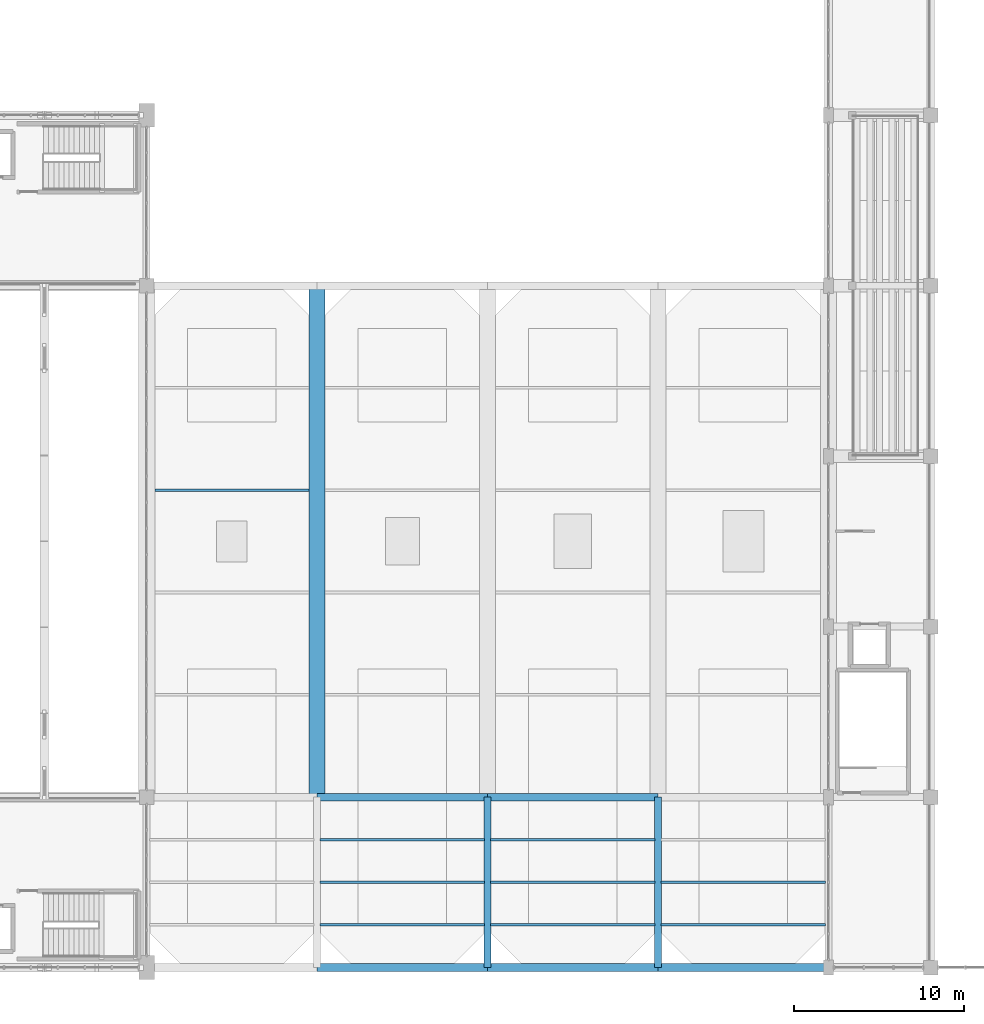
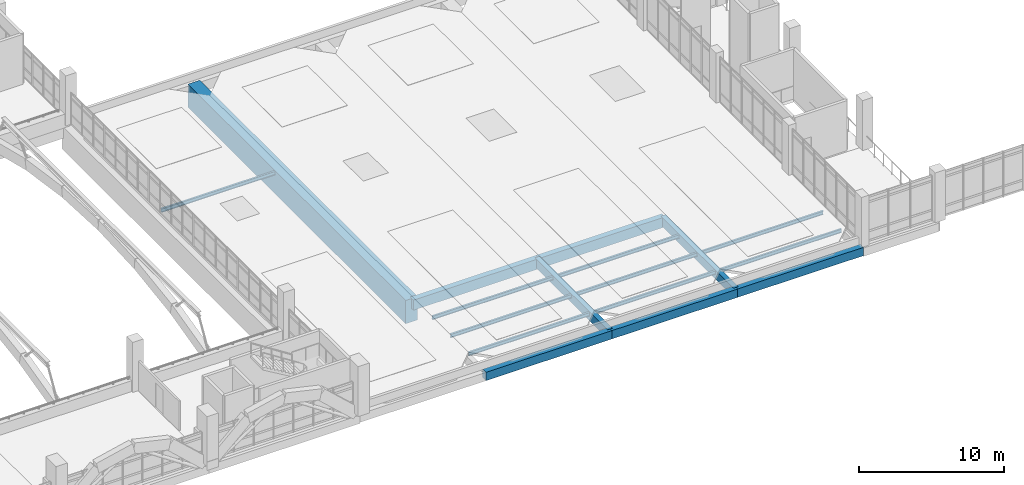
# One storey, part 46 of 161: 9 beams, 8 members.
"""IFC4 building model written with IfcOpenShell, lengths in metres."""

import ifcopenshell
import ifcopenshell.guid

model = None  # the IFC model being written
_history = None  # IfcOwnerHistory: only IFC2X3 demands one
_inside = {}  # id of a spatial element -> (the spatial element, [elements in it])
_under = {}  # id of a project, library or spatial element -> (it, [spatial elements below it])
_declared = {}  # id of a project -> (the project, [libraries it declares])
_typed = {}  # id of a type object -> (the type object, [elements of that type])
_made_of = {}  # id of a material, layer set ... -> (it, [elements and type objects made of it])


def new_model(schema):
    """Start an empty IFC model of exactly this schema.

    Asked for "IFC4X3", IfcOpenShell would pick the latest addendum, in which some entities
    have other attributes; the version numbers below select the first issue.
    IFC2X3 requires an IfcOwnerHistory on every rooted entity: one is made here for all.
    """
    global model, _history
    if schema == "IFC4X3":
        model = ifcopenshell.file(schema_version=(4, 3, 0, 0))
    else:
        model = ifcopenshell.file(schema=schema)
    _inside.clear()
    _under.clear()
    _declared.clear()
    _typed.clear()
    _made_of.clear()
    _history = None
    if model.schema == "IFC2X3":
        org = make("IfcOrganization", Name="unknown")
        user = make(
            "IfcPersonAndOrganization",
            ThePerson=make("IfcPerson", FamilyName="unknown"),
            TheOrganization=org,
        )
        app = make(
            "IfcApplication",
            ApplicationDeveloper=org,
            Version="unknown",
            ApplicationFullName="unknown",
            ApplicationIdentifier="unknown",
        )
        _history = make(
            "IfcOwnerHistory",
            OwningUser=user,
            OwningApplication=app,
            ChangeAction="ADDED",
            CreationDate=0,
        )
    return model


def make(cls, **values):
    """One entity of the class cls with the attributes given. An attribute that is None is left unset."""
    return model.create_entity(
        cls, **{name: value for name, value in values.items() if value is not None}
    )


def rooted(cls, **values):
    """An entity with a GlobalId (a new one), such as an element, a storey or a relation."""
    return make(cls, GlobalId=ifcopenshell.guid.new(), OwnerHistory=_history, **values)


def si_unit(unit_type, name, prefix=None):
    """IfcSIUnit, for example si_unit("LENGTHUNIT", "METRE", prefix="MILLI")."""
    return make("IfcSIUnit", UnitType=unit_type, Prefix=prefix, Name=name)


def assignment(units):
    """IfcUnitAssignment: the units of a project."""
    return None if units is None else make("IfcUnitAssignment", Units=units)


def point(xyz):
    """IfcCartesianPoint."""
    return None if xyz is None else make("IfcCartesianPoint", Coordinates=xyz)


def direction(xyz):
    """IfcDirection."""
    return None if xyz is None else make("IfcDirection", DirectionRatios=xyz)


def frame(location, z_axis=None, x_axis=None):
    """IfcAxis2Placement3D, a coordinate frame: its origin and axes. An axis left out is left unset."""
    return make(
        "IfcAxis2Placement3D",
        Location=point(location),
        Axis=direction(z_axis),
        RefDirection=direction(x_axis),
    )


def frame_2d(location, x_axis=None):
    """IfcAxis2Placement2D, a coordinate frame in the plane: its origin and x axis."""
    return make(
        "IfcAxis2Placement2D", Location=point(location), RefDirection=direction(x_axis)
    )


def origin():
    """The frame at (0, 0, 0) with its axes left unset."""
    return frame((0.0, 0.0, 0.0))


def origin_2d():
    """The frame at (0, 0) in the plane with its x axis left unset."""
    return frame_2d((0.0, 0.0))


def place(relative_to, where):
    """IfcLocalPlacement: puts the frame where relative to a parent placement (None: the world)."""
    return make(
        "IfcLocalPlacement", PlacementRelTo=relative_to, RelativePlacement=where
    )


def context(
    kind, dimensions, precision=None, world=None, true_north=None, identifier=None
):
    """IfcGeometricRepresentationContext, for example the 3D "Model" context."""
    return make(
        "IfcGeometricRepresentationContext",
        ContextIdentifier=identifier,
        ContextType=kind,
        CoordinateSpaceDimension=dimensions,
        Precision=precision,
        WorldCoordinateSystem=world,
        TrueNorth=true_north,
    )


def subcontext(parent, identifier, kind, view, scale=None):
    """IfcGeometricRepresentationSubContext, for example "Body" below "Model"."""
    return make(
        "IfcGeometricRepresentationSubContext",
        ContextIdentifier=identifier,
        ContextType=kind,
        ParentContext=parent,
        TargetScale=scale,
        TargetView=view,
    )


def project(units=None, contexts=None):
    """IfcProject with its units and contexts."""
    return rooted(
        "IfcProject",
        Name="project",
        RepresentationContexts=contexts,
        UnitsInContext=assignment(units),
    )


def spatial(cls, under=None, at=None, **own):
    """A site, building, storey or space (cls), placed at a placement, below another one or the project."""
    s = rooted(cls, ObjectPlacement=at, **own)
    if under is not None:
        _under.setdefault(under.id(), (under, []))[1].append(s)
    return s


def profile(cls, at=None, kind="AREA", **sizes):
    """A parametric profile (cls). Its sizes go by their IFC names, for example OverallWidth=200.0."""
    return make(cls, ProfileType=kind, Position=at, **sizes)


def rectangle(**sizes):
    """IfcRectangleProfileDef."""
    return profile("IfcRectangleProfileDef", **sizes)


def i_section(**sizes):
    """IfcIShapeProfileDef."""
    return profile("IfcIShapeProfileDef", **sizes)


def extrude(swept, where, along, depth):
    """IfcExtrudedAreaSolid: the profile swept, set in the frame where, extruded along a direction by depth."""
    return make(
        "IfcExtrudedAreaSolid",
        SweptArea=swept,
        Position=where,
        ExtrudedDirection=direction(along),
        Depth=depth,
    )


def shape(context_of_items, identifier, shape_type, items):
    """IfcShapeRepresentation: the items that make up one representation, for example the "Body"."""
    return make(
        "IfcShapeRepresentation",
        ContextOfItems=context_of_items,
        RepresentationIdentifier=identifier,
        RepresentationType=shape_type,
        Items=items,
    )


def material(Name=None, Category=None):
    """IfcMaterial."""
    return make("IfcMaterial", Name=Name, Category=Category)


def material_profile(
    of_material, cross_section, Name=None, Category=None, Priority=None
):
    """IfcMaterialProfile: a cross section and its material."""
    return make(
        "IfcMaterialProfile",
        Name=Name,
        Material=of_material,
        Profile=cross_section,
        Priority=Priority,
        Category=Category,
    )


def profile_set(profiles, Name=None, composite=None):
    """IfcMaterialProfileSet."""
    return make(
        "IfcMaterialProfileSet",
        Name=Name,
        MaterialProfiles=profiles,
        CompositeProfile=composite,
    )


def made_of(thing, what):
    """Note that an element or type object is made of a material, layer set ...; save() writes the relation."""
    if what is not None:
        _made_of.setdefault(what.id(), (what, []))[1].append(thing)
    return thing


def type_object(cls, material=None, **own):
    """A type object (cls), such as IfcWallType, which elements share."""
    return made_of(rooted(cls, **own), material)


def element(
    cls,
    number,
    at=None,
    inside=None,
    cuts=None,
    type_object=None,
    material=None,
    context=None,
    identifier="Body",
    shape_type=None,
    held_by="IfcProductDefinitionShape",
    body=None,
    shapes=None,
    **own,
):
    """One element of the class cls, such as IfcWall. Its Tag is "e" and its number.

    at: its placement. inside: the storey or other place that contains it. cuts: it is an
    opening in that element (IfcRelVoidsElement). A single representation is given by context,
    identifier, shape_type and body (its items); several are given by shapes. held_by: the class
    of the entity that holds the representations. save() writes the other relations.
    """
    e = rooted(cls, Tag="e%d" % number, ObjectPlacement=at, **own)
    if body is not None:
        shapes = [shape(context, identifier, shape_type, body)]
    if shapes is not None:
        e.Representation = make(held_by, Representations=shapes)
    if inside is not None:
        _inside.setdefault(inside.id(), (inside, []))[1].append(e)
    if cuts is not None:
        rooted(
            "IfcRelVoidsElement", RelatingBuildingElement=cuts, RelatedOpeningElement=e
        )
    if type_object is not None:
        _typed.setdefault(type_object.id(), (type_object, []))[1].append(e)
    return made_of(e, material)


def aggregate(whole, parts):
    """IfcRelAggregates: a whole, such as a stair, and the parts it consists of."""
    return rooted("IfcRelAggregates", RelatingObject=whole, RelatedObjects=parts)


def save(model, path):
    """Write the relations noted so far, then the file.

    IfcRelAggregates (storeys below a building ...), IfcRelContainedInSpatialStructure (elements
    in a storey), IfcRelDefinesByType, IfcRelAssociatesMaterial and IfcRelDeclares: one each for
    every whole, place, type object, material and project.
    """
    for whole, parts in _under.values():
        aggregate(whole, parts)
    for where, things in _inside.values():
        rooted(
            "IfcRelContainedInSpatialStructure",
            RelatedElements=things,
            RelatingStructure=where,
        )
    for kind, things in _typed.values():
        rooted("IfcRelDefinesByType", RelatedObjects=things, RelatingType=kind)
    for what, things in _made_of.values():
        rooted("IfcRelAssociatesMaterial", RelatedObjects=things, RelatingMaterial=what)
    for by, libraries in _declared.values():
        rooted("IfcRelDeclares", RelatingContext=by, RelatedDefinitions=libraries)
    model.write(path)


model = new_model("IFC4")

# Units and contexts
model_context = context("Model", 3, precision=1e-05, world=origin(), true_north=direction((0.0, 1.0)))
body_context = subcontext(model_context, "Body", "Model", "MODEL_VIEW")
ifc_project = project(units=[si_unit("LENGTHUNIT", "METRE"), si_unit("AREAUNIT", "SQUARE_METRE"), si_unit("VOLUMEUNIT", "CUBIC_METRE"), si_unit("PLANEANGLEUNIT", "RADIAN"), si_unit("MASSUNIT", "GRAM", prefix="KILO")], contexts=[model_context])

# Site, building, storey
site_placement = place(None, origin())
site = spatial("IfcSite", under=ifc_project, at=site_placement, CompositionType="ELEMENT")
building_placement = place(site_placement, origin())
building = spatial("IfcBuilding", under=site, at=building_placement, Name="Mersad Railyard Sports Hall", CompositionType="ELEMENT")
storey_placement = place(building_placement, frame((0.0, 0.0, 4.800048828125)))
storey = spatial("IfcBuildingStorey", under=building, at=storey_placement, Name="L01", CompositionType="ELEMENT", Elevation=4.800048828125)

# Beams
ifc_material_1 = material(Name="Concrete C40/50", Category="concrete")
ifc_material_profile_1 = material_profile(ifc_material_1, rectangle(XDim=0.39990234375, YDim=0.75, at=origin_2d()), Name="RC 400x750")
ifc_profile_set_1 = profile_set([ifc_material_profile_1], Name="Concrete C40/50")
beam_type_1 = type_object("IfcBeamType", Name="STR-BM-B01", PredefinedType="BEAM", material=ifc_profile_set_1)
for number, where, z_axis, x_axis, name in (
    (1, (111.0, 3.5, -0.594970703125), (0.0, 1.0, 0.0), (-1.0, 0.0, 0.0), "Beam B01-0598"),
    (2, (121.0, 3.5, -0.594970703125), (0.0, 1.0, 0.0), (-1.0, 0.0, 0.0), "Beam B01-0599"),
):
    element("IfcBeam", number, at=place(storey_placement, frame(where, z_axis=z_axis, x_axis=x_axis)), inside=storey, type_object=beam_type_1, Name=name, PredefinedType="BEAM", context=body_context, shape_type="SweptSolid", body=[
        extrude(rectangle(XDim=0.39990234375, YDim=0.75, at=origin_2d()), origin(), (0.0, 0.0, 1.0), 10.0),
    ])
ifc_material_profile_2 = material_profile(ifc_material_1, rectangle(XDim=0.449951171875, YDim=0.85009765625, at=origin_2d()), Name="RC 450x850")
ifc_profile_set_2 = profile_set([ifc_material_profile_2], Name="Concrete C40/50")
beam_type_2 = type_object("IfcBeamType", Name="STR-BM-B02", PredefinedType="BEAM", material=ifc_profile_set_2)
for number, where, z_axis, x_axis, name in (
    (3, (101.0, 13.5, -0.64501953125), (1.0, 0.0, 0.0), (0.0, 1.0, 0.0), "Beam B02-0594"),
    (4, (111.0, 13.5, -0.64501953125), (1.0, 0.0, 0.0), (0.0, 1.0, 0.0), "Beam B02-0595"),
):
    element("IfcBeam", number, at=place(storey_placement, frame(where, z_axis=z_axis, x_axis=x_axis)), inside=storey, type_object=beam_type_2, Name=name, PredefinedType="BEAM", context=body_context, shape_type="SweptSolid", body=[
        extrude(rectangle(XDim=0.449951171875, YDim=0.85009765625, at=origin_2d()), origin(), (0.0, 0.0, 1.0), 10.0),
    ])
ifc_material_2 = material(Name="Steel S355", Category="steel")
ifc_material_profile_3 = material_profile(ifc_material_2, i_section(OverallWidth=0.14990234375, OverallDepth=0.300048828125, WebThickness=0.007080078125, FlangeThickness=0.0107421875, at=origin_2d()), Name="IPE 300")
ifc_profile_set_3 = profile_set([ifc_material_profile_3], Name="Steel S355")
beam_type_3 = type_object("IfcBeamType", Name="STR-BM-J02", PredefinedType="JOIST", material=ifc_profile_set_3)
beam_1_placement = place(storey_placement, frame((91.47509765625, 31.5, -0.380126953125), z_axis=(1.0, 0.0, 0.0), x_axis=(0.0, 1.0, 0.0)))
element("IfcBeam", 5, at=beam_1_placement, inside=storey, type_object=beam_type_3, Name="Beam J02-0607", PredefinedType="JOIST", context=body_context, shape_type="SweptSolid", body=[
    extrude(i_section(OverallWidth=0.14990234375, OverallDepth=0.300048828125, WebThickness=0.007080078125, FlangeThickness=0.0107421875, at=origin_2d()), origin(), (0.0, 0.0, 1.0), 9.0498046875),
])
ifc_material_3 = material(Name="Architectural concrete C40/50", Category="concrete")
ifc_material_profile_4 = material_profile(ifc_material_3, rectangle(XDim=0.449951171875, YDim=0.699951171875, at=origin_2d()), Name="RC 450x700")
ifc_profile_set_4 = profile_set([ifc_material_profile_4], Name="Architectural concrete C40/50")
beam_type_4 = type_object("IfcBeamType", Name="STR-BM-SP01", PredefinedType="SPANDREL", material=ifc_profile_set_4)
for number, where, z_axis, x_axis, name in (
    (6, (101.0, 3.5, -0.570068359375), (1.0, 0.0, 0.0), (0.0, 1.0, 0.0), "Beam SP01-0590"),
    (7, (111.0, 3.5, -0.570068359375), (1.0, 0.0, 0.0), (0.0, 1.0, 0.0), "Beam SP01-0591"),
    (8, (121.0, 3.5, -0.570068359375), (1.0, 0.0, 0.0), (0.0, 1.0, 0.0), "Beam SP01-0592"),
):
    element("IfcBeam", number, at=place(storey_placement, frame(where, z_axis=z_axis, x_axis=x_axis)), inside=storey, type_object=beam_type_4, Name=name, PredefinedType="SPANDREL", context=body_context, shape_type="SweptSolid", body=[
        extrude(rectangle(XDim=0.449951171875, YDim=0.699951171875, at=origin_2d()), origin(), (0.0, 0.0, 1.0), 10.0),
    ])
ifc_material_4 = material(Name="Post-tensioned concrete C50/60", Category="concrete")
ifc_material_profile_5 = material_profile(ifc_material_4, rectangle(XDim=0.949951171875, YDim=1.949951171875, at=origin_2d()), Name="PT 950x1950")
ifc_profile_set_5 = profile_set([ifc_material_profile_5], Name="Post-tensioned concrete C50/60")
beam_type_5 = type_object("IfcBeamType", Name="STR-BM-TG03", PredefinedType="USERDEFINED", material=ifc_profile_set_5)
beam_2_placement = place(storey_placement, frame((101.0, 13.5, -1.195068359375), z_axis=(0.0, 1.0, 0.0), x_axis=(-1.0, 0.0, 0.0)))
element("IfcBeam", 9, at=beam_2_placement, inside=storey, type_object=beam_type_5, Name="Transfer girder TG03-0585", ObjectType="GIRDER", PredefinedType="USERDEFINED", context=body_context, shape_type="SweptSolid", body=[
    extrude(rectangle(XDim=0.949951171875, YDim=1.949951171875, at=origin_2d()), origin(), (0.0, 0.0, 1.0), 30.0),
])

# Members
ifc_material_profile_6 = material_profile(ifc_material_2, i_section(OverallWidth=0.14990234375, OverallDepth=0.300048828125, WebThickness=0.007080078125, FlangeThickness=0.0107421875, at=origin_2d()), Name="IPE 300")
ifc_profile_set_6 = profile_set([ifc_material_profile_6], Name="Steel S355")
member_type = type_object("IfcMemberType", Name="STR-MEM-PU02", PredefinedType="PURLIN", material=ifc_profile_set_6)
for number, where, z_axis, x_axis, name in (
    (10, (101.179931640625, 6.0, -0.3701171875), (1.0, 0.0, 0.0), (0.0, 1.0, 0.0), "Structural member PU02-0375"),
    (11, (101.179931640625, 8.5, -0.3701171875), (1.0, 0.0, 0.0), (0.0, 1.0, 0.0), "Structural member PU02-0376"),
    (12, (101.179931640625, 11.0, -0.3701171875), (1.0, 0.0, 0.0), (0.0, 1.0, 0.0), "Structural member PU02-0377"),
    (13, (111.179931640625, 6.0, -0.3701171875), (1.0, 0.0, 0.0), (0.0, 1.0, 0.0), "Structural member PU02-0378"),
    (14, (111.179931640625, 8.5, -0.3701171875), (1.0, 0.0, 0.0), (0.0, 1.0, 0.0), "Structural member PU02-0379"),
    (15, (111.179931640625, 11.0, -0.3701171875), (1.0, 0.0, 0.0), (0.0, 1.0, 0.0), "Structural member PU02-0380"),
    (16, (121.179931640625, 6.0, -0.3701171875), (1.0, 0.0, 0.0), (0.0, 1.0, 0.0), "Structural member PU02-0381"),
    (17, (121.179931640625, 8.5, -0.3701171875), (1.0, 0.0, 0.0), (0.0, 1.0, 0.0), "Structural member PU02-0382"),
):
    element("IfcMember", number, at=place(storey_placement, frame(where, z_axis=z_axis, x_axis=x_axis)), inside=storey, type_object=member_type, Name=name, PredefinedType="PURLIN", context=body_context, shape_type="SweptSolid", body=[
        extrude(i_section(OverallWidth=0.14990234375, OverallDepth=0.300048828125, WebThickness=0.007080078125, FlangeThickness=0.0107421875, at=origin_2d()), origin(), (0.0, 0.0, 1.0), 9.64013671875),
    ])

save(model, "model.ifc")
